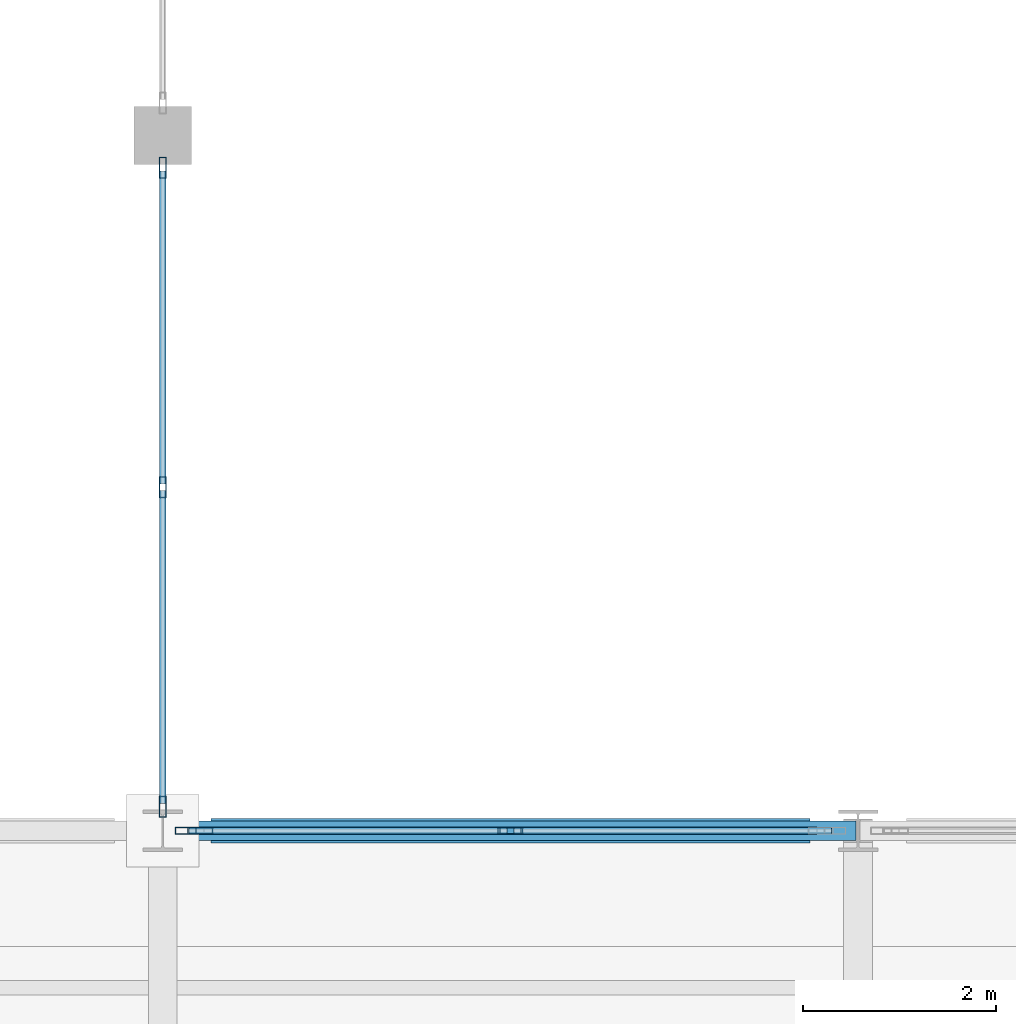
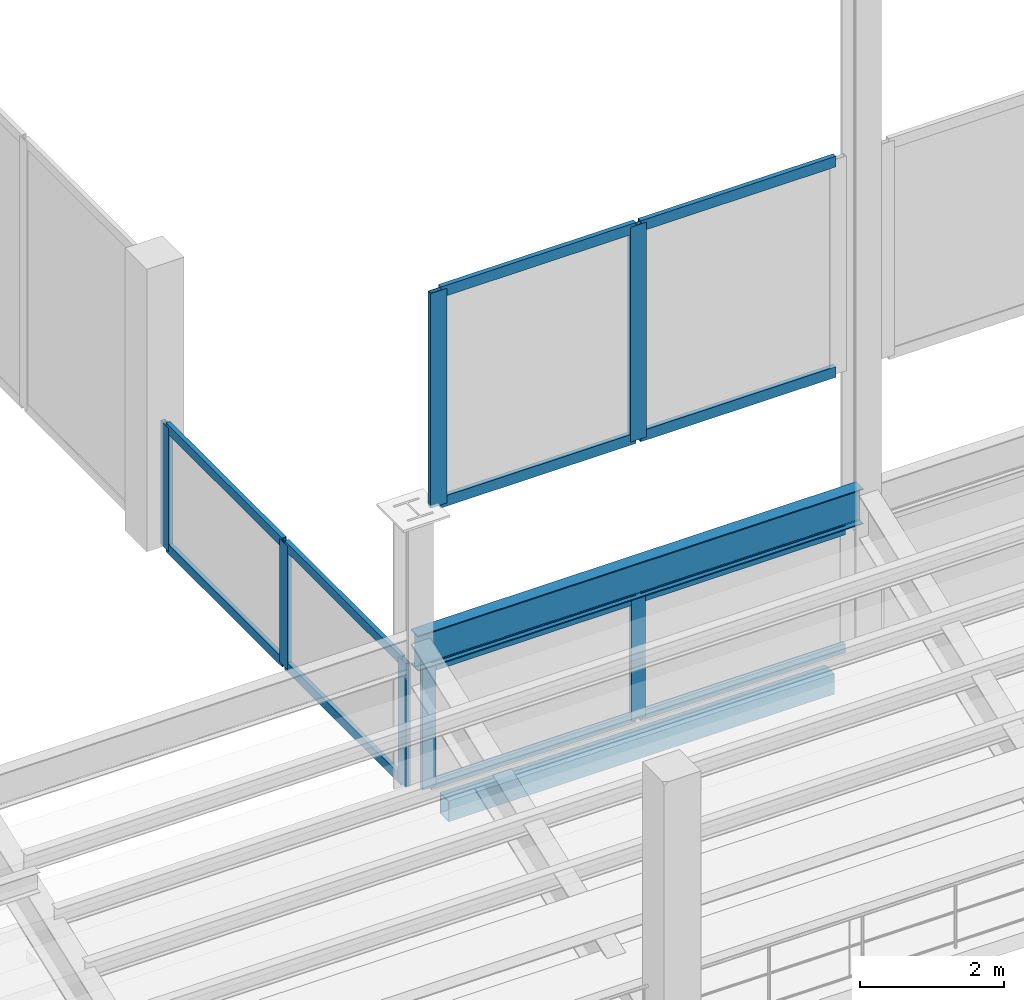
# One storey, part 46 of 120: 19 members, 2 beams, 3 elements without a shape of their own.
"""IFC4 building model written with IfcOpenShell, lengths in metres."""

from ifc_helpers import new_model, si_unit, direction, frame, origin, origin_2d, place, context, subcontext, project, spatial, hollow_rectangle, i_section, extrude, material, material_profile, profile_set, type_object, element, aggregate, save


model = new_model("IFC4")

# Units and contexts
model_context = context("Model", 3, precision=1e-05, world=origin(), true_north=direction((0.0, 1.0)))
body_context = subcontext(model_context, "Body", "Model", "MODEL_VIEW")
ifc_project = project(units=[si_unit("LENGTHUNIT", "METRE"), si_unit("AREAUNIT", "SQUARE_METRE"), si_unit("VOLUMEUNIT", "CUBIC_METRE"), si_unit("PLANEANGLEUNIT", "RADIAN"), si_unit("MASSUNIT", "GRAM", prefix="KILO")], contexts=[model_context])

# Site, building, storey
site_placement = place(None, origin())
site = spatial("IfcSite", under=ifc_project, at=site_placement, CompositionType="ELEMENT")
building_placement = place(site_placement, origin())
building = spatial("IfcBuilding", under=site, at=building_placement, Name="Vesperath Aquatics Centre", CompositionType="ELEMENT")
storey_placement = place(building_placement, frame((0.0, 0.0, 10.199951171875)))
storey = spatial("IfcBuildingStorey", under=building, at=storey_placement, Name="L02", CompositionType="ELEMENT", Elevation=10.199951171875)

# Beams
ifc_material_1 = material(Name="Steel Q355D", Category="steel")
ifc_material_profile_1 = material_profile(ifc_material_1, i_section(OverallWidth=0.199951171875, OverallDepth=0.60009765625, WebThickness=0.010986328125, FlangeThickness=0.01708984375, FilletRadius=0.02197265625, at=origin_2d()), Name="HN 600x200x11x17")
ifc_profile_set_1 = profile_set([ifc_material_profile_1], Name="Steel Q355D")
beam_type_1 = type_object("IfcBeamType", Name="BM-RKH1", PredefinedType="BEAM", material=ifc_profile_set_1)
beam_1_placement = place(storey_placement, frame((57.6201171875, 86.39990234375, 2.400146484375), z_axis=(1.0, 0.0, 0.0), x_axis=(0.0, 1.0, 0.0)))
element("IfcBeam", 1, at=beam_1_placement, inside=storey, type_object=beam_type_1, Name="Upper Bowl Rim Girder RKH1 North 9-10", PredefinedType="BEAM", context=body_context, shape_type="SweptSolid", body=[
    extrude(i_section(OverallWidth=0.199951171875, OverallDepth=0.60009765625, WebThickness=0.010986328125, FlangeThickness=0.01708984375, FilletRadius=0.02197265625, at=origin_2d()), origin(), (0.0, 0.0, 1.0), 7.159912109375),
])
ifc_material_profile_2 = material_profile(ifc_material_1, hollow_rectangle(XDim=0.25, YDim=0.35009765625, WallThickness=0.011962890625, at=origin_2d()), Name="RHS 350x250x12")
ifc_profile_set_2 = profile_set([ifc_material_profile_2], Name="Steel Q355D")
beam_type_2 = type_object("IfcBeamType", Name="BM-SP02", PredefinedType="SPANDREL", material=ifc_profile_set_2)
beam_2_placement = place(storey_placement, frame((58.10009765625, 86.39990234375, -0.43505859375), z_axis=(1.0, 0.0, 0.0), x_axis=(0.0, 1.0, 0.0)))
element("IfcBeam", 2, at=beam_2_placement, inside=storey, type_object=beam_type_2, Name="Floor Girder SP02 L02 N 9-10", PredefinedType="SPANDREL", context=body_context, shape_type="SweptSolid", body=[
    extrude(hollow_rectangle(XDim=0.25, YDim=0.35009765625, WallThickness=0.011962890625, at=origin_2d()), origin(), (0.0, 0.0, 1.0), 6.199951171875),
])

# Curtain wall, members
ifc_material_2 = material(Name="Thermally broken anodised bronze aluminium curtain wall", Category="aluminium")
curtain_wall_type_1 = type_object("IfcCurtainWallType", Name="CW-08", PredefinedType="NOTDEFINED", material=ifc_material_2)
curtain_wall_1_placement = place(storey_placement, origin())
curtain_wall_1 = element("IfcCurtainWall", 3, at=curtain_wall_1_placement, inside=storey, type_object=curtain_wall_type_1, Name="Natatorium Gable West Curtain Wall CW08 N-5W", PredefinedType="NOTDEFINED")
ifc_material_3 = material(Name="Thermally broken anodised aluminium", Category="aluminium")
ifc_material_profile_3 = material_profile(ifc_material_3, hollow_rectangle(XDim=0.074951171875, YDim=0.260009765625, WallThickness=0.006103515625, at=origin_2d()), Name="CWM 75x260x6")
ifc_profile_set_3 = profile_set([ifc_material_profile_3], Name="Thermally broken anodised aluminium")
member_type_1 = type_object("IfcMemberType", Name="MB-CWM1", PredefinedType="MULLION", material=ifc_profile_set_3)
member_1_placement = place(storey_placement, frame((57.987548828125, 86.39990234375, 4.75), z_axis=(0.0, 0.0, 1.0), x_axis=(0.0, 1.0, 0.0)))
member_1 = element("IfcMember", 4, at=member_1_placement, type_object=member_type_1, Name="CW08 mullion 1", PredefinedType="MULLION", context=body_context, shape_type="SweptSolid", body=[
    extrude(hollow_rectangle(XDim=0.074951171875, YDim=0.260009765625, WallThickness=0.006103515625, at=origin_2d()), origin(), (0.0, 0.0, 1.0), 3.650146484375),
])
member_2_placement = place(storey_placement, frame((61.199951171875, 86.39990234375, 4.75), z_axis=(0.0, 0.0, 1.0), x_axis=(0.0, 1.0, 0.0)))
member_2 = element("IfcMember", 5, at=member_2_placement, type_object=member_type_1, Name="CW08 mullion 2", PredefinedType="MULLION", context=body_context, shape_type="SweptSolid", body=[
    extrude(hollow_rectangle(XDim=0.074951171875, YDim=0.260009765625, WallThickness=0.006103515625, at=origin_2d()), origin(), (0.0, 0.0, 1.0), 3.650146484375),
])

curtain_wall_type_2 = type_object("IfcCurtainWallType", Name="CW-06", PredefinedType="NOTDEFINED", material=ifc_material_2)
curtain_wall_2_placement = place(storey_placement, origin())
curtain_wall_2 = element("IfcCurtainWall", 6, at=curtain_wall_2_placement, inside=storey, type_object=curtain_wall_type_2, Name="Facade Curtain Wall CW06 L02_N_08_12", PredefinedType="NOTDEFINED")
ifc_material_profile_4 = material_profile(ifc_material_3, hollow_rectangle(XDim=0.070068359375, YDim=0.219970703125, WallThickness=0.0048828125, at=origin_2d()), Name="CWM 70x220x5")
ifc_profile_set_4 = profile_set([ifc_material_profile_4], Name="Thermally broken anodised aluminium")
member_type_2 = type_object("IfcMemberType", Name="MB-CWM2", PredefinedType="MULLION", material=ifc_profile_set_4)
member_3_placement = place(storey_placement, frame((57.83837890625, 86.39990234375, 0.0), z_axis=(0.0, 0.0, 1.0), x_axis=(0.0, 1.0, 0.0)))
member_3 = element("IfcMember", 7, at=member_3_placement, type_object=member_type_2, Name="CW06 mullion 1", PredefinedType="MULLION", context=body_context, shape_type="SweptSolid", body=[
    extrude(hollow_rectangle(XDim=0.070068359375, YDim=0.219970703125, WallThickness=0.0048828125, at=origin_2d()), origin(), (0.0, 0.0, 1.0), 2.080078125),
])
member_4_placement = place(storey_placement, frame((61.199951171875, 86.39990234375, 0.0), z_axis=(0.0, 0.0, 1.0), x_axis=(0.0, 1.0, 0.0)))
member_4 = element("IfcMember", 8, at=member_4_placement, type_object=member_type_2, Name="CW06 mullion 2", PredefinedType="MULLION", context=body_context, shape_type="SweptSolid", body=[
    extrude(hollow_rectangle(XDim=0.070068359375, YDim=0.219970703125, WallThickness=0.0048828125, at=origin_2d()), origin(), (0.0, 0.0, 1.0), 2.080078125),
])

curtain_wall_3_placement = place(storey_placement, origin())
curtain_wall_3 = element("IfcCurtainWall", 9, at=curtain_wall_3_placement, inside=storey, type_object=curtain_wall_type_2, Name="Facade Curtain Wall CW06 L02_E_08_12", PredefinedType="NOTDEFINED")
member_5_placement = place(storey_placement, frame((57.60009765625, 86.64892578125, 0.0), z_axis=(0.0, 0.0, 1.0), x_axis=(-1.0, 0.0, 0.0)))
member_5 = element("IfcMember", 10, at=member_5_placement, type_object=member_type_2, Name="CW06 mullion 1", PredefinedType="MULLION", context=body_context, shape_type="SweptSolid", body=[
    extrude(hollow_rectangle(XDim=0.070068359375, YDim=0.219970703125, WallThickness=0.0048828125, at=origin_2d()), origin(), (0.0, 0.0, 1.0), 2.10009765625),
])
member_6_placement = place(storey_placement, frame((57.60009765625, 89.95703125, 0.0), z_axis=(0.0, 0.0, 1.0), x_axis=(-1.0, 0.0, 0.0)))
member_6 = element("IfcMember", 11, at=member_6_placement, type_object=member_type_2, Name="CW06 mullion 2", PredefinedType="MULLION", context=body_context, shape_type="SweptSolid", body=[
    extrude(hollow_rectangle(XDim=0.070068359375, YDim=0.219970703125, WallThickness=0.0048828125, at=origin_2d()), origin(), (0.0, 0.0, 1.0), 2.10009765625),
])
member_7_placement = place(storey_placement, frame((57.60009765625, 93.264892578125, 0.0), z_axis=(0.0, 0.0, 1.0), x_axis=(-1.0, 0.0, 0.0)))
member_7 = element("IfcMember", 12, at=member_7_placement, type_object=member_type_2, Name="CW06 mullion 3", PredefinedType="MULLION", context=body_context, shape_type="SweptSolid", body=[
    extrude(hollow_rectangle(XDim=0.070068359375, YDim=0.219970703125, WallThickness=0.0048828125, at=origin_2d()), origin(), (0.0, 0.0, 1.0), 2.10009765625),
])

# Member
ifc_material_profile_5 = material_profile(ifc_material_3, hollow_rectangle(XDim=0.074951171875, YDim=0.179931640625, WallThickness=0.0048828125, at=origin_2d()), Name="CWT 75x180x5")
ifc_profile_set_5 = profile_set([ifc_material_profile_5], Name="Thermally broken anodised aluminium")
member_type_3 = type_object("IfcMemberType", Name="MB-CWT1", PredefinedType="USERDEFINED", material=ifc_profile_set_5)
member_8_placement = place(storey_placement, frame((58.02490234375, 86.39990234375, 4.78759765625), z_axis=(1.0, 0.0, 0.0), x_axis=(0.0, 1.0, 0.0)))
member_8 = element("IfcMember", 13, at=member_8_placement, type_object=member_type_3, Name="CW08 transom 1.1", ObjectType="TRANSOM", PredefinedType="USERDEFINED", context=body_context, shape_type="SweptSolid", body=[
    extrude(hollow_rectangle(XDim=0.074951171875, YDim=0.179931640625, WallThickness=0.0048828125, at=origin_2d()), origin(), (0.0, 0.0, 1.0), 3.1376953125),
])

member_9_placement = place(storey_placement, frame((58.02490234375, 86.39990234375, 8.362548828125), z_axis=(1.0, 0.0, 0.0), x_axis=(0.0, 1.0, 0.0)))
member_9 = element("IfcMember", 14, at=member_9_placement, type_object=member_type_3, Name="CW08 transom 1.2", ObjectType="TRANSOM", PredefinedType="USERDEFINED", context=body_context, shape_type="SweptSolid", body=[
    extrude(hollow_rectangle(XDim=0.074951171875, YDim=0.179931640625, WallThickness=0.0048828125, at=origin_2d()), origin(), (0.0, 0.0, 1.0), 3.1376953125),
])

member_10_placement = place(storey_placement, frame((61.237548828125, 86.39990234375, 4.78759765625), z_axis=(1.0, 0.0, 0.0), x_axis=(0.0, 1.0, 0.0)))
member_10 = element("IfcMember", 15, at=member_10_placement, type_object=member_type_3, Name="CW08 transom 2.1", ObjectType="TRANSOM", PredefinedType="USERDEFINED", context=body_context, shape_type="SweptSolid", body=[
    extrude(hollow_rectangle(XDim=0.074951171875, YDim=0.179931640625, WallThickness=0.0048828125, at=origin_2d()), origin(), (0.0, 0.0, 1.0), 3.137451171875),
])

member_11_placement = place(storey_placement, frame((61.237548828125, 86.39990234375, 8.362548828125), z_axis=(1.0, 0.0, 0.0), x_axis=(0.0, 1.0, 0.0)))
member_11 = element("IfcMember", 16, at=member_11_placement, type_object=member_type_3, Name="CW08 transom 2.2", ObjectType="TRANSOM", PredefinedType="USERDEFINED", context=body_context, shape_type="SweptSolid", body=[
    extrude(hollow_rectangle(XDim=0.074951171875, YDim=0.179931640625, WallThickness=0.0048828125, at=origin_2d()), origin(), (0.0, 0.0, 1.0), 3.137451171875),
])

aggregate(curtain_wall_1, [member_1, member_2, member_8, member_9, member_10, member_11])

ifc_material_profile_6 = material_profile(ifc_material_3, hollow_rectangle(XDim=0.070068359375, YDim=0.159912109375, WallThickness=0.0048828125, at=origin_2d()), Name="CWT 70x160x5")
ifc_profile_set_6 = profile_set([ifc_material_profile_6], Name="Thermally broken anodised aluminium")
member_type_4 = type_object("IfcMemberType", Name="MB-CWT2", PredefinedType="USERDEFINED", material=ifc_profile_set_6)
member_12_placement = place(storey_placement, frame((57.87353515625, 86.39990234375, 0.03515625), z_axis=(1.0, 0.0, 0.0), x_axis=(0.0, 1.0, 0.0)))
member_12 = element("IfcMember", 17, at=member_12_placement, type_object=member_type_4, Name="CW06 transom 1.1", ObjectType="TRANSOM", PredefinedType="USERDEFINED", context=body_context, shape_type="SweptSolid", body=[
    extrude(hollow_rectangle(XDim=0.070068359375, YDim=0.159912109375, WallThickness=0.0048828125, at=origin_2d()), origin(), (0.0, 0.0, 1.0), 3.29150390625),
])

member_13_placement = place(storey_placement, frame((57.87353515625, 86.39990234375, 2.045166015625), z_axis=(1.0, 0.0, 0.0), x_axis=(0.0, 1.0, 0.0)))
member_13 = element("IfcMember", 18, at=member_13_placement, type_object=member_type_4, Name="CW06 transom 1.2", ObjectType="TRANSOM", PredefinedType="USERDEFINED", context=body_context, shape_type="SweptSolid", body=[
    extrude(hollow_rectangle(XDim=0.070068359375, YDim=0.159912109375, WallThickness=0.0048828125, at=origin_2d()), origin(), (0.0, 0.0, 1.0), 3.29150390625),
])

member_14_placement = place(storey_placement, frame((61.235107421875, 86.39990234375, 0.03515625), z_axis=(1.0, 0.0, 0.0), x_axis=(0.0, 1.0, 0.0)))
member_14 = element("IfcMember", 19, at=member_14_placement, type_object=member_type_4, Name="CW06 transom 2.1", ObjectType="TRANSOM", PredefinedType="USERDEFINED", context=body_context, shape_type="SweptSolid", body=[
    extrude(hollow_rectangle(XDim=0.070068359375, YDim=0.159912109375, WallThickness=0.0048828125, at=origin_2d()), origin(), (0.0, 0.0, 1.0), 3.29150390625),
])

member_15_placement = place(storey_placement, frame((61.235107421875, 86.39990234375, 2.045166015625), z_axis=(1.0, 0.0, 0.0), x_axis=(0.0, 1.0, 0.0)))
member_15 = element("IfcMember", 20, at=member_15_placement, type_object=member_type_4, Name="CW06 transom 2.2", ObjectType="TRANSOM", PredefinedType="USERDEFINED", context=body_context, shape_type="SweptSolid", body=[
    extrude(hollow_rectangle(XDim=0.070068359375, YDim=0.159912109375, WallThickness=0.0048828125, at=origin_2d()), origin(), (0.0, 0.0, 1.0), 3.29150390625),
])

aggregate(curtain_wall_2, [member_3, member_4, member_12, member_13, member_14, member_15])

member_16_placement = place(storey_placement, frame((57.60009765625, 86.68408203125, 0.03515625), z_axis=(0.0, 1.0, 0.0), x_axis=(-1.0, 0.0, 0.0)))
member_16 = element("IfcMember", 21, at=member_16_placement, type_object=member_type_4, Name="CW06 transom 1.1", ObjectType="TRANSOM", PredefinedType="USERDEFINED", context=body_context, shape_type="SweptSolid", body=[
    extrude(hollow_rectangle(XDim=0.070068359375, YDim=0.159912109375, WallThickness=0.0048828125, at=origin_2d()), origin(), (0.0, 0.0, 1.0), 3.238037109375),
])

member_17_placement = place(storey_placement, frame((57.60009765625, 86.68408203125, 2.06494140625), z_axis=(0.0, 1.0, 0.0), x_axis=(-1.0, 0.0, 0.0)))
member_17 = element("IfcMember", 22, at=member_17_placement, type_object=member_type_4, Name="CW06 transom 1.2", ObjectType="TRANSOM", PredefinedType="USERDEFINED", context=body_context, shape_type="SweptSolid", body=[
    extrude(hollow_rectangle(XDim=0.070068359375, YDim=0.159912109375, WallThickness=0.0048828125, at=origin_2d()), origin(), (0.0, 0.0, 1.0), 3.238037109375),
])

member_18_placement = place(storey_placement, frame((57.60009765625, 89.991943359375, 0.03515625), z_axis=(0.0, 1.0, 0.0), x_axis=(-1.0, 0.0, 0.0)))
member_18 = element("IfcMember", 23, at=member_18_placement, type_object=member_type_4, Name="CW06 transom 2.1", ObjectType="TRANSOM", PredefinedType="USERDEFINED", context=body_context, shape_type="SweptSolid", body=[
    extrude(hollow_rectangle(XDim=0.070068359375, YDim=0.159912109375, WallThickness=0.0048828125, at=origin_2d()), origin(), (0.0, 0.0, 1.0), 3.238037109375),
])

member_19_placement = place(storey_placement, frame((57.60009765625, 89.991943359375, 2.06494140625), z_axis=(0.0, 1.0, 0.0), x_axis=(-1.0, 0.0, 0.0)))
member_19 = element("IfcMember", 24, at=member_19_placement, type_object=member_type_4, Name="CW06 transom 2.2", ObjectType="TRANSOM", PredefinedType="USERDEFINED", context=body_context, shape_type="SweptSolid", body=[
    extrude(hollow_rectangle(XDim=0.070068359375, YDim=0.159912109375, WallThickness=0.0048828125, at=origin_2d()), origin(), (0.0, 0.0, 1.0), 3.238037109375),
])

aggregate(curtain_wall_3, [member_5, member_6, member_7, member_16, member_17, member_18, member_19])

save(model, "model.ifc")
